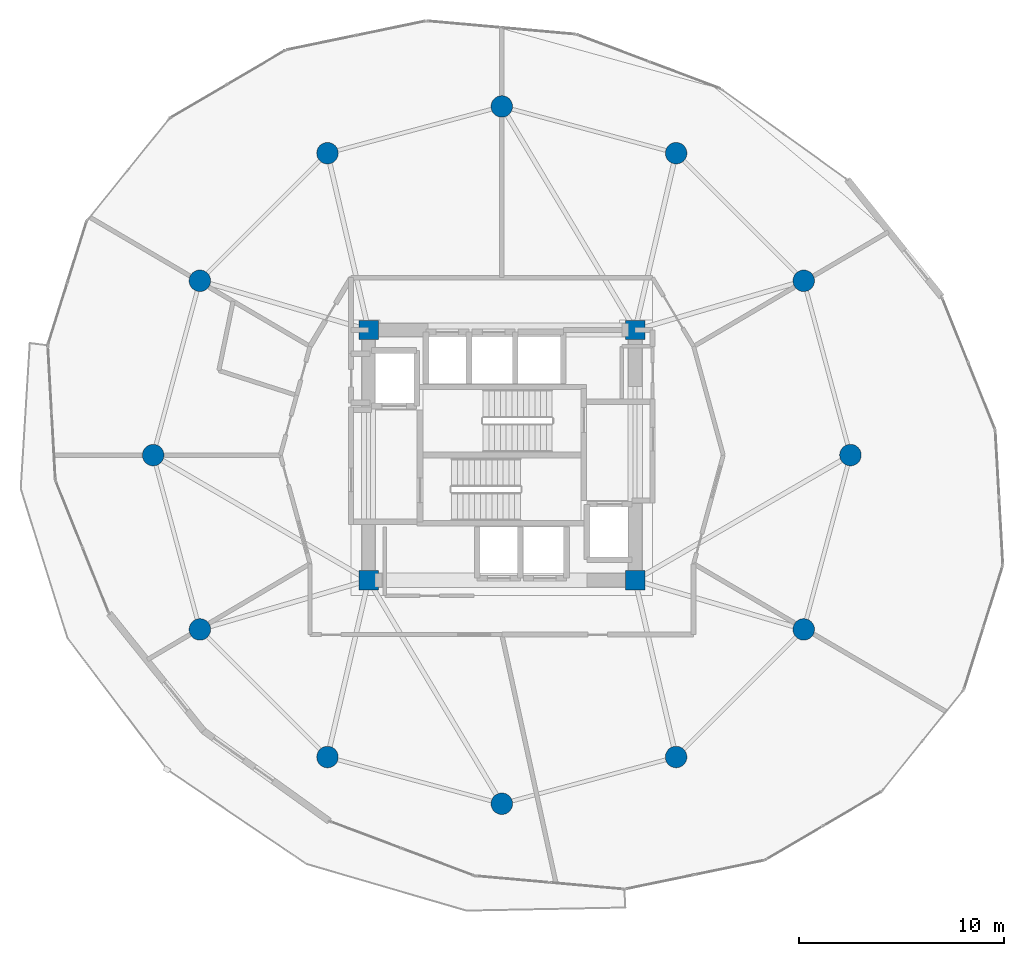
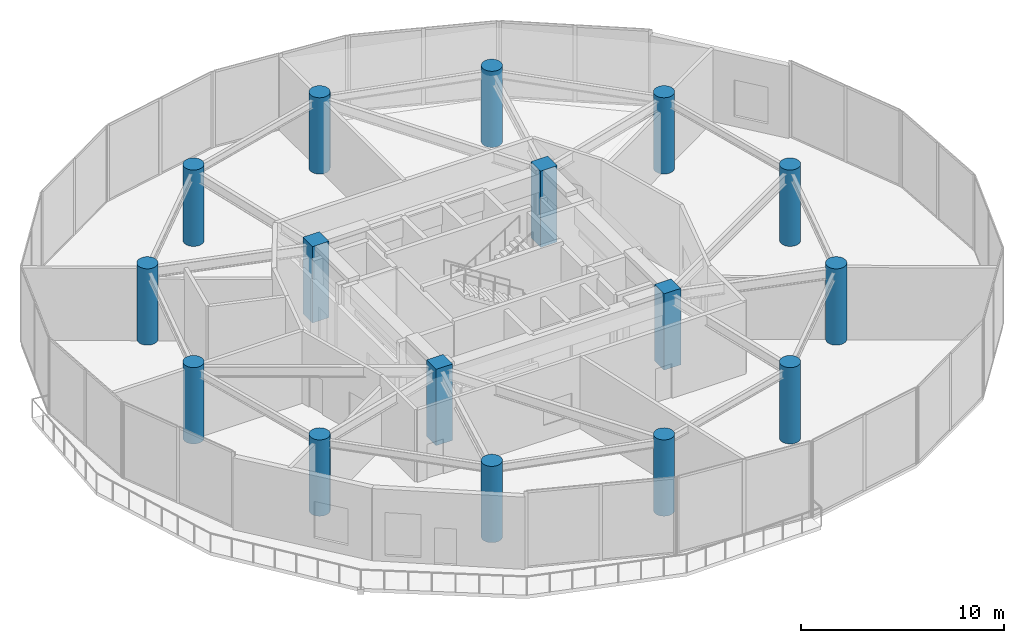
# One storey, part 1 of 28: 16 columns.
"""IFC4 building model written with IfcOpenShell, lengths in metres."""

import ifcopenshell
import ifcopenshell.guid

model = None  # the IFC model being written
_history = None  # IfcOwnerHistory: only IFC2X3 demands one
_inside = {}  # id of a spatial element -> (the spatial element, [elements in it])
_under = {}  # id of a project, library or spatial element -> (it, [spatial elements below it])
_declared = {}  # id of a project -> (the project, [libraries it declares])
_typed = {}  # id of a type object -> (the type object, [elements of that type])
_made_of = {}  # id of a material, layer set ... -> (it, [elements and type objects made of it])


def new_model(schema):
    """Start an empty IFC model of exactly this schema.

    Asked for "IFC4X3", IfcOpenShell would pick the latest addendum, in which some entities
    have other attributes; the version numbers below select the first issue.
    IFC2X3 requires an IfcOwnerHistory on every rooted entity: one is made here for all.
    """
    global model, _history
    if schema == "IFC4X3":
        model = ifcopenshell.file(schema_version=(4, 3, 0, 0))
    else:
        model = ifcopenshell.file(schema=schema)
    _inside.clear()
    _under.clear()
    _declared.clear()
    _typed.clear()
    _made_of.clear()
    _history = None
    if model.schema == "IFC2X3":
        org = make("IfcOrganization", Name="unknown")
        user = make(
            "IfcPersonAndOrganization",
            ThePerson=make("IfcPerson", FamilyName="unknown"),
            TheOrganization=org,
        )
        app = make(
            "IfcApplication",
            ApplicationDeveloper=org,
            Version="unknown",
            ApplicationFullName="unknown",
            ApplicationIdentifier="unknown",
        )
        _history = make(
            "IfcOwnerHistory",
            OwningUser=user,
            OwningApplication=app,
            ChangeAction="ADDED",
            CreationDate=0,
        )
    return model


def make(cls, **values):
    """One entity of the class cls with the attributes given. An attribute that is None is left unset."""
    return model.create_entity(
        cls, **{name: value for name, value in values.items() if value is not None}
    )


def rooted(cls, **values):
    """An entity with a GlobalId (a new one), such as an element, a storey or a relation."""
    return make(cls, GlobalId=ifcopenshell.guid.new(), OwnerHistory=_history, **values)


def si_unit(unit_type, name, prefix=None):
    """IfcSIUnit, for example si_unit("LENGTHUNIT", "METRE", prefix="MILLI")."""
    return make("IfcSIUnit", UnitType=unit_type, Prefix=prefix, Name=name)


def assignment(units):
    """IfcUnitAssignment: the units of a project."""
    return None if units is None else make("IfcUnitAssignment", Units=units)


def point(xyz):
    """IfcCartesianPoint."""
    return None if xyz is None else make("IfcCartesianPoint", Coordinates=xyz)


def direction(xyz):
    """IfcDirection."""
    return None if xyz is None else make("IfcDirection", DirectionRatios=xyz)


def frame(location, z_axis=None, x_axis=None):
    """IfcAxis2Placement3D, a coordinate frame: its origin and axes. An axis left out is left unset."""
    return make(
        "IfcAxis2Placement3D",
        Location=point(location),
        Axis=direction(z_axis),
        RefDirection=direction(x_axis),
    )


def frame_2d(location, x_axis=None):
    """IfcAxis2Placement2D, a coordinate frame in the plane: its origin and x axis."""
    return make(
        "IfcAxis2Placement2D", Location=point(location), RefDirection=direction(x_axis)
    )


def origin():
    """The frame at (0, 0, 0) with its axes left unset."""
    return frame((0.0, 0.0, 0.0))


def origin_2d():
    """The frame at (0, 0) in the plane with its x axis left unset."""
    return frame_2d((0.0, 0.0))


def place(relative_to, where):
    """IfcLocalPlacement: puts the frame where relative to a parent placement (None: the world)."""
    return make(
        "IfcLocalPlacement", PlacementRelTo=relative_to, RelativePlacement=where
    )


def context(
    kind, dimensions, precision=None, world=None, true_north=None, identifier=None
):
    """IfcGeometricRepresentationContext, for example the 3D "Model" context."""
    return make(
        "IfcGeometricRepresentationContext",
        ContextIdentifier=identifier,
        ContextType=kind,
        CoordinateSpaceDimension=dimensions,
        Precision=precision,
        WorldCoordinateSystem=world,
        TrueNorth=true_north,
    )


def subcontext(parent, identifier, kind, view, scale=None):
    """IfcGeometricRepresentationSubContext, for example "Body" below "Model"."""
    return make(
        "IfcGeometricRepresentationSubContext",
        ContextIdentifier=identifier,
        ContextType=kind,
        ParentContext=parent,
        TargetScale=scale,
        TargetView=view,
    )


def project(units=None, contexts=None):
    """IfcProject with its units and contexts."""
    return rooted(
        "IfcProject",
        Name="project",
        RepresentationContexts=contexts,
        UnitsInContext=assignment(units),
    )


def spatial(cls, under=None, at=None, **own):
    """A site, building, storey or space (cls), placed at a placement, below another one or the project."""
    s = rooted(cls, ObjectPlacement=at, **own)
    if under is not None:
        _under.setdefault(under.id(), (under, []))[1].append(s)
    return s


def profile(cls, at=None, kind="AREA", **sizes):
    """A parametric profile (cls). Its sizes go by their IFC names, for example OverallWidth=200.0."""
    return make(cls, ProfileType=kind, Position=at, **sizes)


def rectangle(**sizes):
    """IfcRectangleProfileDef."""
    return profile("IfcRectangleProfileDef", **sizes)


def circle(**sizes):
    """IfcCircleProfileDef."""
    return profile("IfcCircleProfileDef", **sizes)


def extrude(swept, where, along, depth):
    """IfcExtrudedAreaSolid: the profile swept, set in the frame where, extruded along a direction by depth."""
    return make(
        "IfcExtrudedAreaSolid",
        SweptArea=swept,
        Position=where,
        ExtrudedDirection=direction(along),
        Depth=depth,
    )


def shape(context_of_items, identifier, shape_type, items):
    """IfcShapeRepresentation: the items that make up one representation, for example the "Body"."""
    return make(
        "IfcShapeRepresentation",
        ContextOfItems=context_of_items,
        RepresentationIdentifier=identifier,
        RepresentationType=shape_type,
        Items=items,
    )


def material(Name=None, Category=None):
    """IfcMaterial."""
    return make("IfcMaterial", Name=Name, Category=Category)


def material_profile(
    of_material, cross_section, Name=None, Category=None, Priority=None
):
    """IfcMaterialProfile: a cross section and its material."""
    return make(
        "IfcMaterialProfile",
        Name=Name,
        Material=of_material,
        Profile=cross_section,
        Priority=Priority,
        Category=Category,
    )


def profile_set(profiles, Name=None, composite=None):
    """IfcMaterialProfileSet."""
    return make(
        "IfcMaterialProfileSet",
        Name=Name,
        MaterialProfiles=profiles,
        CompositeProfile=composite,
    )


def made_of(thing, what):
    """Note that an element or type object is made of a material, layer set ...; save() writes the relation."""
    if what is not None:
        _made_of.setdefault(what.id(), (what, []))[1].append(thing)
    return thing


def type_object(cls, material=None, **own):
    """A type object (cls), such as IfcWallType, which elements share."""
    return made_of(rooted(cls, **own), material)


def element(
    cls,
    number,
    at=None,
    inside=None,
    cuts=None,
    type_object=None,
    material=None,
    context=None,
    identifier="Body",
    shape_type=None,
    held_by="IfcProductDefinitionShape",
    body=None,
    shapes=None,
    **own,
):
    """One element of the class cls, such as IfcWall. Its Tag is "e" and its number.

    at: its placement. inside: the storey or other place that contains it. cuts: it is an
    opening in that element (IfcRelVoidsElement). A single representation is given by context,
    identifier, shape_type and body (its items); several are given by shapes. held_by: the class
    of the entity that holds the representations. save() writes the other relations.
    """
    e = rooted(cls, Tag="e%d" % number, ObjectPlacement=at, **own)
    if body is not None:
        shapes = [shape(context, identifier, shape_type, body)]
    if shapes is not None:
        e.Representation = make(held_by, Representations=shapes)
    if inside is not None:
        _inside.setdefault(inside.id(), (inside, []))[1].append(e)
    if cuts is not None:
        rooted(
            "IfcRelVoidsElement", RelatingBuildingElement=cuts, RelatedOpeningElement=e
        )
    if type_object is not None:
        _typed.setdefault(type_object.id(), (type_object, []))[1].append(e)
    return made_of(e, material)


def aggregate(whole, parts):
    """IfcRelAggregates: a whole, such as a stair, and the parts it consists of."""
    return rooted("IfcRelAggregates", RelatingObject=whole, RelatedObjects=parts)


def save(model, path):
    """Write the relations noted so far, then the file.

    IfcRelAggregates (storeys below a building ...), IfcRelContainedInSpatialStructure (elements
    in a storey), IfcRelDefinesByType, IfcRelAssociatesMaterial and IfcRelDeclares: one each for
    every whole, place, type object, material and project.
    """
    for whole, parts in _under.values():
        aggregate(whole, parts)
    for where, things in _inside.values():
        rooted(
            "IfcRelContainedInSpatialStructure",
            RelatedElements=things,
            RelatingStructure=where,
        )
    for kind, things in _typed.values():
        rooted("IfcRelDefinesByType", RelatedObjects=things, RelatingType=kind)
    for what, things in _made_of.values():
        rooted("IfcRelAssociatesMaterial", RelatedObjects=things, RelatingMaterial=what)
    for by, libraries in _declared.values():
        rooted("IfcRelDeclares", RelatingContext=by, RelatedDefinitions=libraries)
    model.write(path)


model = new_model("IFC4")

# Units and contexts
model_context = context("Model", 3, precision=1e-05, world=origin(), true_north=direction((0.0, 1.0)))
body_context = subcontext(model_context, "Body", "Model", "MODEL_VIEW")
ifc_project = project(units=[si_unit("LENGTHUNIT", "METRE"), si_unit("AREAUNIT", "SQUARE_METRE"), si_unit("VOLUMEUNIT", "CUBIC_METRE"), si_unit("PLANEANGLEUNIT", "RADIAN"), si_unit("MASSUNIT", "GRAM", prefix="KILO")], contexts=[model_context])

# Site, building, storey
site_placement = place(None, origin())
site = spatial("IfcSite", under=ifc_project, at=site_placement, CompositionType="ELEMENT")
building_placement = place(site_placement, origin())
building = spatial("IfcBuilding", under=site, at=building_placement, Name="Solvirekh Grand Hotel", CompositionType="ELEMENT")
storey_placement = place(building_placement, frame((0.0, 0.0, 98.0)))
storey = spatial("IfcBuildingStorey", under=building, at=storey_placement, Name="L24", CompositionType="ELEMENT", Elevation=98.0)

# Columns
ifc_material = material(Name="Concrete C50/60", Category="concrete")
ifc_material_profile_1 = material_profile(ifc_material, rectangle(XDim=0.949951171875, YDim=0.949951171875, at=origin_2d()), Name="RC 950X950")
ifc_profile_set_1 = profile_set([ifc_material_profile_1], Name="Concrete C50/60")
column_type_1 = type_object("IfcColumnType", Name="Col_Core_950", PredefinedType="COLUMN", material=ifc_profile_set_1)
for number, where, z_axis, x_axis, name in (
    (1, (-6.5, -6.10009765625, 0.0), (0.0, 0.0, 1.0), (1.0, 0.0, 0.0), "L24 core corner column CC1"),
    (2, (6.5, -6.10009765625, 0.0), (0.0, 0.0, 1.0), (1.0, 0.0, 0.0), "L24 core corner column CC2"),
    (3, (6.5, 6.10009765625, 0.0), (0.0, 0.0, 1.0), (1.0, 0.0, 0.0), "L24 core corner column CC3"),
    (4, (-6.5, 6.10009765625, 0.0), (0.0, 0.0, 1.0), (1.0, 0.0, 0.0), "L24 core corner column CC4"),
):
    element("IfcColumn", number, at=place(storey_placement, frame(where, z_axis=z_axis, x_axis=x_axis)), inside=storey, type_object=column_type_1, Name=name, PredefinedType="COLUMN", context=body_context, shape_type="SweptSolid", body=[
        extrude(rectangle(XDim=0.949951171875, YDim=0.949951171875, at=origin_2d()), origin(), (0.0, 0.0, 1.0), 4.60009765625),
    ])
ifc_material_profile_2 = material_profile(ifc_material, circle(Radius=0.52490234375, at=origin_2d()), Name="RC CIRC D1050")
ifc_profile_set_2 = profile_set([ifc_material_profile_2], Name="Concrete C50/60")
column_type_2 = type_object("IfcColumnType", Name="Col_Z2_D1050", PredefinedType="COLUMN", material=ifc_profile_set_2)
for number, where, z_axis, x_axis, name in (
    (5, (17.0, 0.0, 0.0), (0.0, 0.0, 1.0), (1.0, 0.0, 0.0), "L24 perimeter column P01"),
    (6, (14.721923828125, 8.5, 0.0), (0.0, 0.0, 1.0), (1.0, 0.0, 0.0), "L24 perimeter column P02"),
    (7, (8.5, 14.721923828125, 0.0), (0.0, 0.0, 1.0), (1.0, 0.0, 0.0), "L24 perimeter column P03"),
    (8, (0.0, 17.0, 0.0), (0.0, 0.0, 1.0), (1.0, 0.0, 0.0), "L24 perimeter column P04"),
    (9, (-8.5, 14.721923828125, 0.0), (0.0, 0.0, 1.0), (1.0, 0.0, 0.0), "L24 perimeter column P05"),
    (10, (-14.721923828125, 8.5, 0.0), (0.0, 0.0, 1.0), (1.0, 0.0, 0.0), "L24 perimeter column P06"),
    (11, (-17.0, 0.0, 0.0), (0.0, 0.0, 1.0), (1.0, 0.0, 0.0), "L24 perimeter column P07"),
    (12, (-14.721923828125, -8.5, 0.0), (0.0, 0.0, 1.0), (1.0, 0.0, 0.0), "L24 perimeter column P08"),
    (13, (-8.5, -14.721923828125, 0.0), (0.0, 0.0, 1.0), (1.0, 0.0, 0.0), "L24 perimeter column P09"),
    (14, (0.0, -17.0, 0.0), (0.0, 0.0, 1.0), (1.0, 0.0, 0.0), "L24 perimeter column P10"),
    (15, (8.5, -14.721923828125, 0.0), (0.0, 0.0, 1.0), (1.0, 0.0, 0.0), "L24 perimeter column P11"),
    (16, (14.721923828125, -8.5, 0.0), (0.0, 0.0, 1.0), (1.0, 0.0, 0.0), "L24 perimeter column P12"),
):
    element("IfcColumn", number, at=place(storey_placement, frame(where, z_axis=z_axis, x_axis=x_axis)), inside=storey, type_object=column_type_2, Name=name, PredefinedType="COLUMN", context=body_context, shape_type="SweptSolid", body=[
        extrude(circle(Radius=0.52490234375, at=origin_2d()), origin(), (0.0, 0.0, 1.0), 4.60009765625),
    ])

save(model, "model.ifc")
